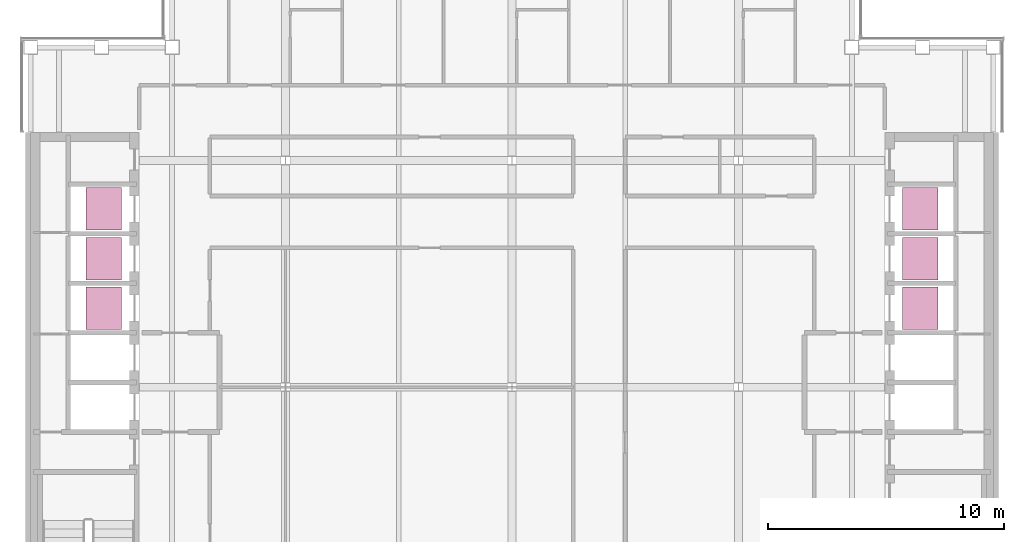
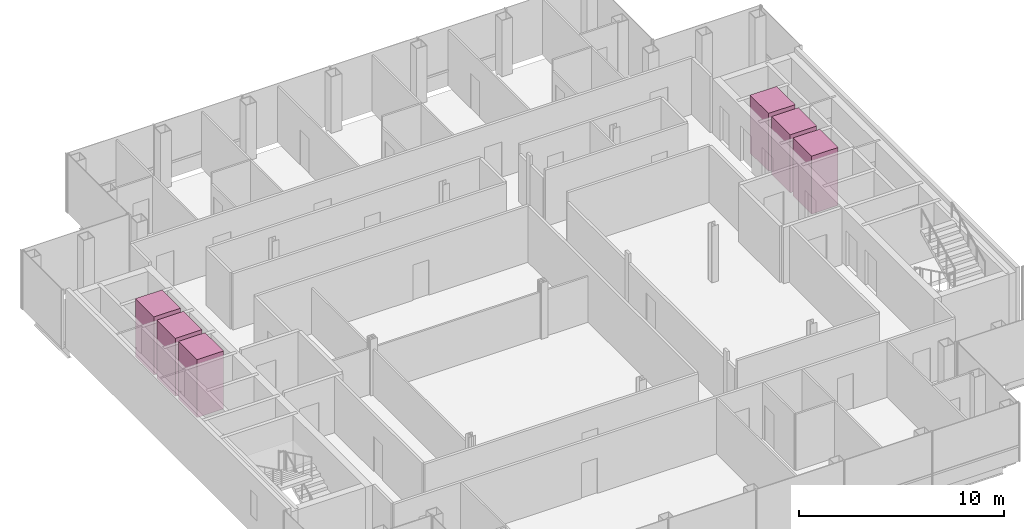
# One storey, part 15 of 15: 6 transport elements.
"""IFC4 building model written with IfcOpenShell, lengths in metres."""

from ifc_helpers import new_model, si_unit, direction, frame, origin, origin_2d, place, context, subcontext, project, spatial, rectangle, extrude, material, type_object, element, save


model = new_model("IFC4")

# Units and contexts
model_context = context("Model", 3, precision=1e-05, world=origin(), true_north=direction((0.0, 1.0)))
body_context = subcontext(model_context, "Body", "Model", "MODEL_VIEW")
ifc_project = project(units=[si_unit("LENGTHUNIT", "METRE"), si_unit("AREAUNIT", "SQUARE_METRE"), si_unit("VOLUMEUNIT", "CUBIC_METRE"), si_unit("PLANEANGLEUNIT", "RADIAN"), si_unit("MASSUNIT", "GRAM", prefix="KILO")], contexts=[model_context])

# Site, building, storey
site_placement = place(None, origin())
site = spatial("IfcSite", under=ifc_project, at=site_placement, CompositionType="ELEMENT")
building_placement = place(site_placement, origin())
building = spatial("IfcBuilding", under=site, at=building_placement, Name="Cobrizo Arcos Hotel Tower", CompositionType="ELEMENT")
storey_placement = place(building_placement, frame((0.0, 0.0, 251.5)))
storey = spatial("IfcBuildingStorey", under=building, at=storey_placement, Name="L66", CompositionType="ELEMENT", Elevation=251.5)

# Transport elements
ifc_material = material(Name="Stainless steel car", Category="steel")
transport_element_type = type_object("IfcTransportElementType", Name="Lift car High 1.8x1.5", PredefinedType="ELEVATOR", material=ifc_material)
for number, where, z_axis, x_axis, name in (
    (1, (-17.300048828125, 3.35009765625, 0.0), (0.0, 0.0, 1.0), (1.0, 0.0, 0.0), "High-rise passenger lift W1"),
    (2, (-17.300048828125, 5.449951171875, 0.0), (0.0, 0.0, 1.0), (1.0, 0.0, 0.0), "High-rise passenger lift W2"),
    (3, (-17.300048828125, 7.550048828125, 0.0), (0.0, 0.0, 1.0), (1.0, 0.0, 0.0), "High-rise passenger lift W3"),
    (4, (17.300048828125, 3.35009765625, 0.0), (0.0, 0.0, 1.0), (1.0, 0.0, 0.0), "High-rise passenger lift E1"),
    (5, (17.300048828125, 5.449951171875, 0.0), (0.0, 0.0, 1.0), (1.0, 0.0, 0.0), "High-rise passenger lift E2"),
    (6, (17.300048828125, 7.550048828125, 0.0), (0.0, 0.0, 1.0), (1.0, 0.0, 0.0), "High-rise passenger lift E3"),
):
    element("IfcTransportElement", number, at=place(storey_placement, frame(where, z_axis=z_axis, x_axis=x_axis)), inside=storey, type_object=transport_element_type, Name=name, PredefinedType="ELEVATOR", context=body_context, shape_type="SweptSolid", body=[
        extrude(rectangle(XDim=1.5, YDim=1.800048828125, at=origin_2d()), origin(), (0.0, 0.0, 1.0), 3.449951171875),
    ])

save(model, "model.ifc")
